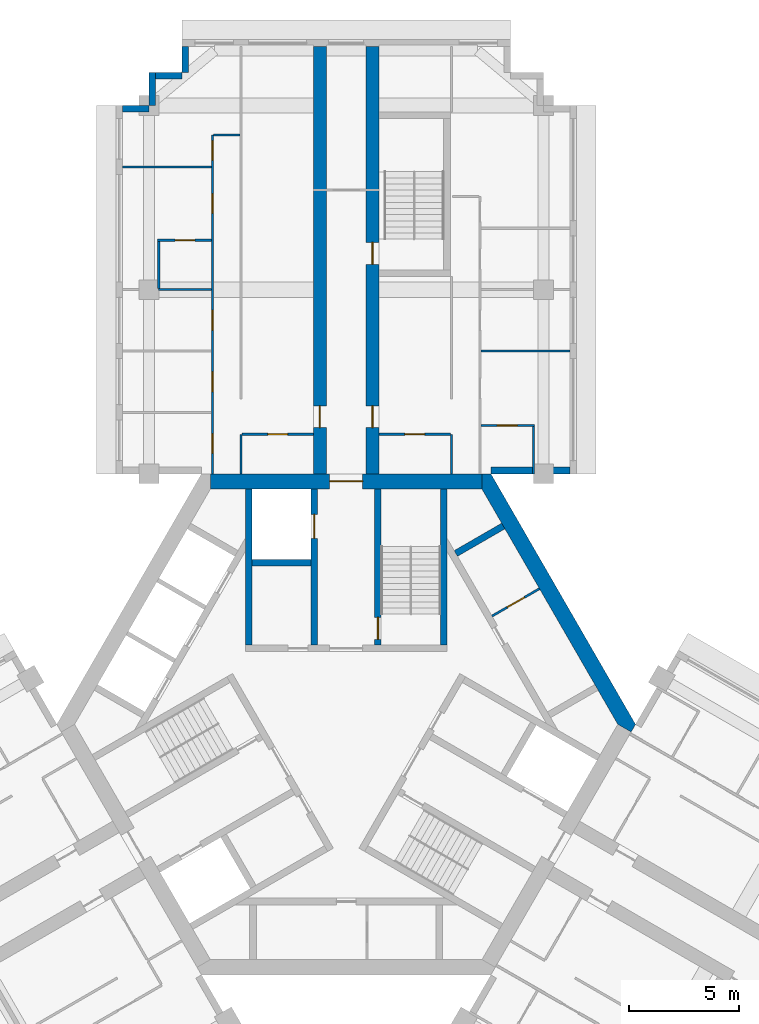
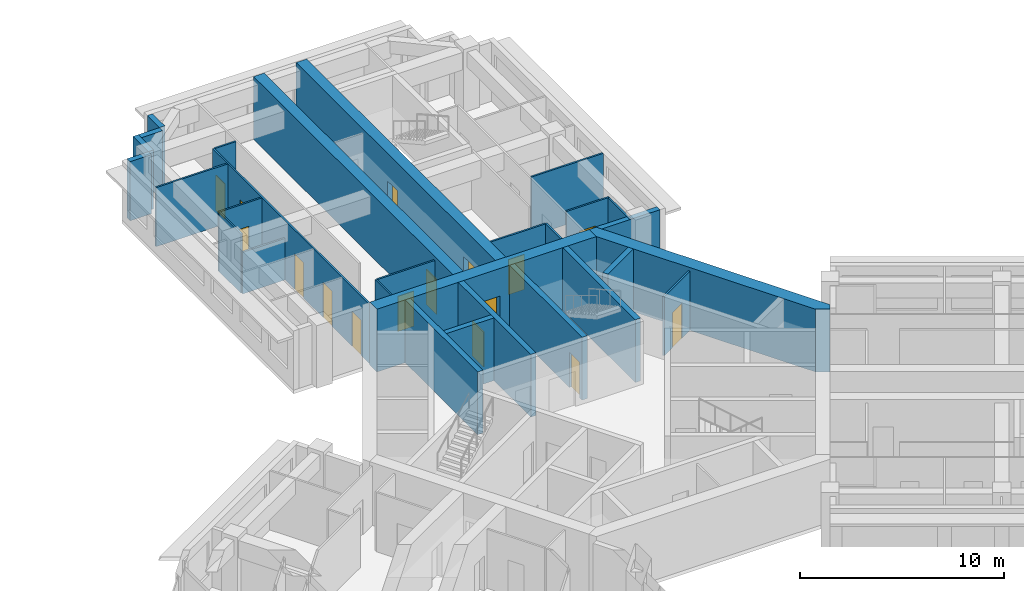
# One storey, part 8 of 12: 29 walls, 16 doors, 16 openings.
"""IFC4 building model written with IfcOpenShell, lengths in metres."""

import ifcopenshell
import ifcopenshell.guid

model = None  # the IFC model being written
_history = None  # IfcOwnerHistory: only IFC2X3 demands one
_inside = {}  # id of a spatial element -> (the spatial element, [elements in it])
_under = {}  # id of a project, library or spatial element -> (it, [spatial elements below it])
_declared = {}  # id of a project -> (the project, [libraries it declares])
_typed = {}  # id of a type object -> (the type object, [elements of that type])
_made_of = {}  # id of a material, layer set ... -> (it, [elements and type objects made of it])


def new_model(schema):
    """Start an empty IFC model of exactly this schema.

    Asked for "IFC4X3", IfcOpenShell would pick the latest addendum, in which some entities
    have other attributes; the version numbers below select the first issue.
    IFC2X3 requires an IfcOwnerHistory on every rooted entity: one is made here for all.
    """
    global model, _history
    if schema == "IFC4X3":
        model = ifcopenshell.file(schema_version=(4, 3, 0, 0))
    else:
        model = ifcopenshell.file(schema=schema)
    _inside.clear()
    _under.clear()
    _declared.clear()
    _typed.clear()
    _made_of.clear()
    _history = None
    if model.schema == "IFC2X3":
        org = make("IfcOrganization", Name="unknown")
        user = make(
            "IfcPersonAndOrganization",
            ThePerson=make("IfcPerson", FamilyName="unknown"),
            TheOrganization=org,
        )
        app = make(
            "IfcApplication",
            ApplicationDeveloper=org,
            Version="unknown",
            ApplicationFullName="unknown",
            ApplicationIdentifier="unknown",
        )
        _history = make(
            "IfcOwnerHistory",
            OwningUser=user,
            OwningApplication=app,
            ChangeAction="ADDED",
            CreationDate=0,
        )
    return model


def make(cls, **values):
    """One entity of the class cls with the attributes given. An attribute that is None is left unset."""
    return model.create_entity(
        cls, **{name: value for name, value in values.items() if value is not None}
    )


def rooted(cls, **values):
    """An entity with a GlobalId (a new one), such as an element, a storey or a relation."""
    return make(cls, GlobalId=ifcopenshell.guid.new(), OwnerHistory=_history, **values)


def si_unit(unit_type, name, prefix=None):
    """IfcSIUnit, for example si_unit("LENGTHUNIT", "METRE", prefix="MILLI")."""
    return make("IfcSIUnit", UnitType=unit_type, Prefix=prefix, Name=name)


def assignment(units):
    """IfcUnitAssignment: the units of a project."""
    return None if units is None else make("IfcUnitAssignment", Units=units)


def point(xyz):
    """IfcCartesianPoint."""
    return None if xyz is None else make("IfcCartesianPoint", Coordinates=xyz)


def direction(xyz):
    """IfcDirection."""
    return None if xyz is None else make("IfcDirection", DirectionRatios=xyz)


def frame(location, z_axis=None, x_axis=None):
    """IfcAxis2Placement3D, a coordinate frame: its origin and axes. An axis left out is left unset."""
    return make(
        "IfcAxis2Placement3D",
        Location=point(location),
        Axis=direction(z_axis),
        RefDirection=direction(x_axis),
    )


def frame_2d(location, x_axis=None):
    """IfcAxis2Placement2D, a coordinate frame in the plane: its origin and x axis."""
    return make(
        "IfcAxis2Placement2D", Location=point(location), RefDirection=direction(x_axis)
    )


def origin():
    """The frame at (0, 0, 0) with its axes left unset."""
    return frame((0.0, 0.0, 0.0))


def place(relative_to, where):
    """IfcLocalPlacement: puts the frame where relative to a parent placement (None: the world)."""
    return make(
        "IfcLocalPlacement", PlacementRelTo=relative_to, RelativePlacement=where
    )


def context(
    kind, dimensions, precision=None, world=None, true_north=None, identifier=None
):
    """IfcGeometricRepresentationContext, for example the 3D "Model" context."""
    return make(
        "IfcGeometricRepresentationContext",
        ContextIdentifier=identifier,
        ContextType=kind,
        CoordinateSpaceDimension=dimensions,
        Precision=precision,
        WorldCoordinateSystem=world,
        TrueNorth=true_north,
    )


def subcontext(parent, identifier, kind, view, scale=None):
    """IfcGeometricRepresentationSubContext, for example "Body" below "Model"."""
    return make(
        "IfcGeometricRepresentationSubContext",
        ContextIdentifier=identifier,
        ContextType=kind,
        ParentContext=parent,
        TargetScale=scale,
        TargetView=view,
    )


def project(units=None, contexts=None):
    """IfcProject with its units and contexts."""
    return rooted(
        "IfcProject",
        Name="project",
        RepresentationContexts=contexts,
        UnitsInContext=assignment(units),
    )


def spatial(cls, under=None, at=None, **own):
    """A site, building, storey or space (cls), placed at a placement, below another one or the project."""
    s = rooted(cls, ObjectPlacement=at, **own)
    if under is not None:
        _under.setdefault(under.id(), (under, []))[1].append(s)
    return s


def polyline(points):
    """IfcPolyline through the points."""
    return make("IfcPolyline", Points=[point(p) for p in points])


def profile(cls, at=None, kind="AREA", **sizes):
    """A parametric profile (cls). Its sizes go by their IFC names, for example OverallWidth=200.0."""
    return make(cls, ProfileType=kind, Position=at, **sizes)


def rectangle(**sizes):
    """IfcRectangleProfileDef."""
    return profile("IfcRectangleProfileDef", **sizes)


def outline(outer, holes=None, kind="AREA"):
    """IfcArbitraryClosedProfileDef: a profile drawn as a closed curve; with holes, ...WithVoids."""
    if holes is None:
        return make("IfcArbitraryClosedProfileDef", ProfileType=kind, OuterCurve=outer)
    return make(
        "IfcArbitraryProfileDefWithVoids",
        ProfileType=kind,
        OuterCurve=outer,
        InnerCurves=holes,
    )


def extrude(swept, where, along, depth):
    """IfcExtrudedAreaSolid: the profile swept, set in the frame where, extruded along a direction by depth."""
    return make(
        "IfcExtrudedAreaSolid",
        SweptArea=swept,
        Position=where,
        ExtrudedDirection=direction(along),
        Depth=depth,
    )


def shape(context_of_items, identifier, shape_type, items):
    """IfcShapeRepresentation: the items that make up one representation, for example the "Body"."""
    return make(
        "IfcShapeRepresentation",
        ContextOfItems=context_of_items,
        RepresentationIdentifier=identifier,
        RepresentationType=shape_type,
        Items=items,
    )


def material(Name=None, Category=None):
    """IfcMaterial."""
    return make("IfcMaterial", Name=Name, Category=Category)


def layer(
    of_material, thickness, ventilated=None, Name=None, Category=None, Priority=None
):
    """IfcMaterialLayer: one layer of a wall or slab, of a material (None: an air gap)."""
    return make(
        "IfcMaterialLayer",
        Material=of_material,
        LayerThickness=thickness,
        IsVentilated=ventilated,
        Name=Name,
        Category=Category,
        Priority=Priority,
    )


def layer_set(layers, Name=None):
    """IfcMaterialLayerSet."""
    return make("IfcMaterialLayerSet", MaterialLayers=layers, LayerSetName=Name)


def made_of(thing, what):
    """Note that an element or type object is made of a material, layer set ...; save() writes the relation."""
    if what is not None:
        _made_of.setdefault(what.id(), (what, []))[1].append(thing)
    return thing


def type_object(cls, material=None, **own):
    """A type object (cls), such as IfcWallType, which elements share."""
    return made_of(rooted(cls, **own), material)


def element(
    cls,
    number,
    at=None,
    inside=None,
    cuts=None,
    type_object=None,
    material=None,
    context=None,
    identifier="Body",
    shape_type=None,
    held_by="IfcProductDefinitionShape",
    body=None,
    shapes=None,
    **own,
):
    """One element of the class cls, such as IfcWall. Its Tag is "e" and its number.

    at: its placement. inside: the storey or other place that contains it. cuts: it is an
    opening in that element (IfcRelVoidsElement). A single representation is given by context,
    identifier, shape_type and body (its items); several are given by shapes. held_by: the class
    of the entity that holds the representations. save() writes the other relations.
    """
    e = rooted(cls, Tag="e%d" % number, ObjectPlacement=at, **own)
    if body is not None:
        shapes = [shape(context, identifier, shape_type, body)]
    if shapes is not None:
        e.Representation = make(held_by, Representations=shapes)
    if inside is not None:
        _inside.setdefault(inside.id(), (inside, []))[1].append(e)
    if cuts is not None:
        rooted(
            "IfcRelVoidsElement", RelatingBuildingElement=cuts, RelatedOpeningElement=e
        )
    if type_object is not None:
        _typed.setdefault(type_object.id(), (type_object, []))[1].append(e)
    return made_of(e, material)


def fill(opening, filler):
    """IfcRelFillsElement: the door or window that sits in an opening."""
    return rooted(
        "IfcRelFillsElement",
        RelatingOpeningElement=opening,
        RelatedBuildingElement=filler,
    )


def aggregate(whole, parts):
    """IfcRelAggregates: a whole, such as a stair, and the parts it consists of."""
    return rooted("IfcRelAggregates", RelatingObject=whole, RelatedObjects=parts)


def save(model, path):
    """Write the relations noted so far, then the file.

    IfcRelAggregates (storeys below a building ...), IfcRelContainedInSpatialStructure (elements
    in a storey), IfcRelDefinesByType, IfcRelAssociatesMaterial and IfcRelDeclares: one each for
    every whole, place, type object, material and project.
    """
    for whole, parts in _under.values():
        aggregate(whole, parts)
    for where, things in _inside.values():
        rooted(
            "IfcRelContainedInSpatialStructure",
            RelatedElements=things,
            RelatingStructure=where,
        )
    for kind, things in _typed.values():
        rooted("IfcRelDefinesByType", RelatedObjects=things, RelatingType=kind)
    for what, things in _made_of.values():
        rooted("IfcRelAssociatesMaterial", RelatedObjects=things, RelatingMaterial=what)
    for by, libraries in _declared.values():
        rooted("IfcRelDeclares", RelatingContext=by, RelatedDefinitions=libraries)
    model.write(path)


model = new_model("IFC4")

# Units and contexts
model_context = context("Model", 3, precision=1e-05, world=origin(), true_north=direction((0.0, 1.0)))
body_context = subcontext(model_context, "Body", "Model", "MODEL_VIEW")
ifc_project = project(units=[si_unit("LENGTHUNIT", "METRE"), si_unit("AREAUNIT", "SQUARE_METRE"), si_unit("VOLUMEUNIT", "CUBIC_METRE"), si_unit("PLANEANGLEUNIT", "RADIAN"), si_unit("MASSUNIT", "GRAM", prefix="KILO")], contexts=[model_context])

# Site, building, storey
site_placement = place(None, origin())
site = spatial("IfcSite", under=ifc_project, at=site_placement, CompositionType="ELEMENT")
building_placement = place(site_placement, origin())
building = spatial("IfcBuilding", under=site, at=building_placement, Name="Impinga Residences", CompositionType="ELEMENT")
storey_placement = place(building_placement, frame((0.0, 0.0, 214.75)))
storey = spatial("IfcBuildingStorey", under=building, at=storey_placement, Name="L53", CompositionType="ELEMENT", Elevation=214.75)

# Wall, opening, door
ifc_material_1 = material(Name="Concrete C60/75", Category="concrete")
ifc_layer_1 = layer(ifc_material_1, 0.60009765625)
ifc_layer_set_1 = layer_set([ifc_layer_1], Name="Concrete C60/75")
wall_type_1 = type_object("IfcWallType", Name="BW3 corridor buttress wall, L46 to L73 600", PredefinedType="SHEAR", material=ifc_layer_set_1)
wall_1_placement = place(storey_placement, frame((-1.199951171875, 11.08154296875, 0.0), z_axis=(0.0, 0.0, 1.0), x_axis=(0.0, 1.0, 0.0)))
wall_1 = element("IfcWall", 1, at=wall_1_placement, inside=storey, type_object=wall_type_1, Name="Corridor wall BW3 NC L53", PredefinedType="SHEAR", context=body_context, shape_type="SweptSolid", body=[
    extrude(rectangle(XDim=19.85009765625, YDim=0.60009765625, at=frame_2d((9.925048828125, 0.0))), origin(), (0.0, 0.0, 1.0), 3.75),
])
opening_1_placement = place(wall_1_placement, frame((2.449951171875, 0.0, 0.0)))
opening_1 = element("IfcOpeningElement", 2, at=opening_1_placement, cuts=wall_1, Name="Opening D1", PredefinedType="OPENING", context=body_context, shape_type="SweptSolid", body=[
    extrude(rectangle(XDim=1.0, YDim=2.10009765625, at=frame_2d((0.5, 1.050048828125))), frame((0.0, 0.31005859375, 0.0), z_axis=(0.0, -1.0, 0.0), x_axis=(1.0, 0.0, 0.0)), (0.0, 0.0, 1.0), 0.6201171875),
])
ifc_material_2 = material(Name="Timber door set", Category="wood")
door_type_1 = type_object("IfcDoorType", Name="D1 apartment entrance door 1000x2100", OperationType="SINGLE_SWING_LEFT", PredefinedType="DOOR", material=ifc_material_2)
door_1_placement = place(opening_1_placement, origin())
door_1 = element("IfcDoor", 3, at=door_1_placement, inside=storey, type_object=door_type_1, Name="Apartment L53-NA1 entrance", OperationType="SINGLE_SWING_LEFT", OverallHeight=2.10009765625, OverallWidth=1.0, PredefinedType="DOOR", context=body_context, shape_type="SweptSolid", body=[
    extrude(rectangle(XDim=1.0, YDim=2.10009765625, at=frame_2d((0.5, 1.050048828125))), frame((0.0, 0.02490234375, 0.0), z_axis=(0.0, -1.0, 0.0), x_axis=(1.0, 0.0, 0.0)), (0.0, 0.0, 1.0), 0.050048828125),
])
fill(opening_1, door_1)

# Wall, openings, doors
wall_2_placement = place(storey_placement, frame((1.199951171875, 11.08154296875, 0.0), z_axis=(0.0, 0.0, 1.0), x_axis=(0.0, 1.0, 0.0)))
wall_2 = element("IfcWall", 4, at=wall_2_placement, inside=storey, type_object=wall_type_1, Name="Corridor wall BW3 ND L53", PredefinedType="SHEAR", context=body_context, shape_type="SweptSolid", body=[
    extrude(rectangle(XDim=19.85009765625, YDim=0.60009765625, at=frame_2d((9.925048828125, 0.0))), origin(), (0.0, 0.0, 1.0), 3.75),
])
opening_2_placement = place(wall_2_placement, frame((9.89990234375, 0.0, 0.0)))
opening_2 = element("IfcOpeningElement", 5, at=opening_2_placement, cuts=wall_2, Name="Opening D5", PredefinedType="OPENING", context=body_context, shape_type="SweptSolid", body=[
    extrude(rectangle(XDim=1.0, YDim=2.10009765625, at=frame_2d((0.5, 1.050048828125))), frame((0.0, 0.31005859375, 0.0), z_axis=(0.0, -1.0, 0.0), x_axis=(1.0, 0.0, 0.0)), (0.0, 0.0, 1.0), 0.6201171875),
])
opening_3_placement = place(wall_2_placement, frame((2.449951171875, 0.0, 0.0)))
opening_3 = element("IfcOpeningElement", 6, at=opening_3_placement, cuts=wall_2, Name="Opening D1", PredefinedType="OPENING", context=body_context, shape_type="SweptSolid", body=[
    extrude(rectangle(XDim=1.0, YDim=2.10009765625, at=frame_2d((0.5, 1.050048828125))), frame((0.0, 0.31005859375, 0.0), z_axis=(0.0, -1.0, 0.0), x_axis=(1.0, 0.0, 0.0)), (0.0, 0.0, 1.0), 0.6201171875),
])
door_2_placement = place(opening_3_placement, origin())
door_2 = element("IfcDoor", 7, at=door_2_placement, inside=storey, type_object=door_type_1, Name="Apartment L53-NF1 entrance", OperationType="SINGLE_SWING_LEFT", OverallHeight=2.10009765625, OverallWidth=1.0, PredefinedType="DOOR", context=body_context, shape_type="SweptSolid", body=[
    extrude(rectangle(XDim=1.0, YDim=2.10009765625, at=frame_2d((0.5, 1.050048828125))), frame((0.0, 0.02490234375, 0.0), z_axis=(0.0, -1.0, 0.0), x_axis=(1.0, 0.0, 0.0)), (0.0, 0.0, 1.0), 0.050048828125),
])
fill(opening_3, door_2)
door_type_2 = type_object("IfcDoorType", Name="D5 stair door 1000x2100", OperationType="SINGLE_SWING_LEFT", PredefinedType="DOOR", material=ifc_material_2)
door_3_placement = place(opening_2_placement, origin())
door_3 = element("IfcDoor", 8, at=door_3_placement, inside=storey, type_object=door_type_2, Name="Wing stair door N", OperationType="SINGLE_SWING_RIGHT", OverallHeight=2.10009765625, OverallWidth=1.0, PredefinedType="DOOR", context=body_context, shape_type="SweptSolid", body=[
    extrude(rectangle(XDim=1.0, YDim=2.10009765625, at=frame_2d((0.5, 1.050048828125))), frame((0.0, 0.02490234375, 0.0), z_axis=(0.0, -1.0, 0.0), x_axis=(1.0, 0.0, 0.0)), (0.0, 0.0, 1.0), 0.050048828125),
])
fill(opening_2, door_3)

# Wall, opening, door
ifc_material_3 = material(Name="Concrete blockwork", Category="masonry")
ifc_layer_2 = layer(ifc_material_3, 0.10009765625)
ifc_layer_set_2 = layer_set([ifc_layer_2], Name="CP1 core room partition, blockwork 100")
wall_type_2 = type_object("IfcWallType", Name="CP1 core room partition, blockwork 100", PredefinedType="PARTITIONING", material=ifc_layer_set_2)
wall_3_placement = place(storey_placement, frame((6.65380859375, 4.9384765625, 0.0), z_axis=(0.0, 0.0, 1.0), x_axis=(0.866022959057, 0.500004234368, 0.0)))
wall_3 = element("IfcWall", 9, at=wall_3_placement, inside=storey, type_object=wall_type_2, Name="Core room partition, blockwork L53:CORE:mid:ZP1", PredefinedType="PARTITIONING", context=body_context, shape_type="SweptSolid", body=[
    extrude(rectangle(XDim=2.5, YDim=0.10009765625, at=frame_2d((1.25, 0.0))), origin(), (0.0, 0.0, 1.0), 3.530029296875),
])
opening_4_placement = place(wall_3_placement, frame((0.800048828125, 0.0, 0.0)))
opening_4 = element("IfcOpeningElement", 10, at=opening_4_placement, cuts=wall_3, Name="Opening D6", PredefinedType="OPENING", context=body_context, shape_type="SweptSolid", body=[
    extrude(rectangle(XDim=0.89990234375, YDim=2.10009765625, at=frame_2d((0.449951171875, 1.050048828125))), frame((0.0, 0.06005859375, 0.0), z_axis=(0.0, -1.0, 0.0), x_axis=(1.0, 0.0, 0.0)), (0.0, 0.0, 1.0), 0.1201171875),
])
door_type_3 = type_object("IfcDoorType", Name="D6 riser and store door 900x2100", OperationType="SINGLE_SWING_LEFT", PredefinedType="DOOR", material=ifc_material_2)
door_4_placement = place(opening_4_placement, origin())
door_4 = element("IfcDoor", 11, at=door_4_placement, inside=storey, type_object=door_type_3, Name="Staff WC door", OperationType="SINGLE_SWING_LEFT", OverallHeight=2.10009765625, OverallWidth=0.89990234375, PredefinedType="DOOR", context=body_context, shape_type="SweptSolid", body=[
    extrude(rectangle(XDim=0.89990234375, YDim=2.10009765625, at=frame_2d((0.449951171875, 1.050048828125))), frame((0.0, 0.02490234375, 0.0), z_axis=(0.0, -1.0, 0.0), x_axis=(1.0, 0.0, 0.0)), (0.0, 0.0, 1.0), 0.050048828125),
])
fill(opening_4, door_4)

# Walls
ifc_material_4 = material(Name="Terracotta rainscreen on blockwork", Category="masonry")
ifc_layer_3 = layer(ifc_material_4, 0.300048828125)
ifc_layer_set_3 = layer_set([ifc_layer_3], Name="EW1 external wall, terracotta rainscreen on blockwork 300")
wall_type_3 = type_object("IfcWallType", Name="EW1 external wall, terracotta rainscreen on blockwork 300", PredefinedType="SOLIDWALL", material=ifc_layer_set_3)
wall_4_placement = place(storey_placement, frame((-10.199951171875, 28.08154296875, 0.0), z_axis=(0.0, 0.0, 1.0), x_axis=(1.0, 0.0, 0.0)))
element("IfcWall", 12, at=wall_4_placement, inside=storey, type_object=wall_type_3, Name="External wall EW1 L53", PredefinedType="SOLIDWALL", context=body_context, shape_type="SweptSolid", body=[
    extrude(rectangle(XDim=1.199951171875, YDim=0.300048828125, at=frame_2d((0.60009765625, 0.0))), origin(), (0.0, 0.0, 1.0), 3.530029296875),
])
wall_5_placement = place(storey_placement, frame((-8.85009765625, 28.236572265625, 0.0), z_axis=(0.0, 0.0, 1.0), x_axis=(0.0, 1.0, 0.0)))
element("IfcWall", 13, at=wall_5_placement, inside=storey, type_object=wall_type_3, Name="External wall EW1 L53", PredefinedType="SOLIDWALL", context=body_context, shape_type="SweptSolid", body=[
    extrude(rectangle(XDim=1.494873046875, YDim=0.300048828125, at=frame_2d((0.74755859375, 0.0))), origin(), (0.0, 0.0, 1.0), 3.530029296875),
])
wall_6_placement = place(storey_placement, frame((-8.699951171875, 29.58154296875, 0.0), z_axis=(0.0, 0.0, 1.0), x_axis=(1.0, 0.0, 0.0)))
element("IfcWall", 14, at=wall_6_placement, inside=storey, type_object=wall_type_3, Name="External wall EW1 L53", PredefinedType="SOLIDWALL", context=body_context, shape_type="SweptSolid", body=[
    extrude(rectangle(XDim=1.199951171875, YDim=0.300048828125, at=frame_2d((0.60009765625, 0.0))), origin(), (0.0, 0.0, 1.0), 3.530029296875),
])
wall_7_placement = place(storey_placement, frame((-7.35009765625, 29.736572265625, 0.0), z_axis=(0.0, 0.0, 1.0), x_axis=(0.0, 1.0, 0.0)))
element("IfcWall", 15, at=wall_7_placement, inside=storey, type_object=wall_type_3, Name="External wall EW1 L53", PredefinedType="SOLIDWALL", context=body_context, shape_type="SweptSolid", body=[
    extrude(rectangle(XDim=1.195068359375, YDim=0.300048828125, at=frame_2d((0.59765625, 0.0))), origin(), (0.0, 0.0, 1.0), 3.530029296875),
])
wall_8_placement = place(storey_placement, frame((10.199951171875, 11.58154296875, 0.0), z_axis=(0.0, 0.0, 1.0), x_axis=(-1.0, 0.0, 0.0)))
element("IfcWall", 16, at=wall_8_placement, inside=storey, type_object=wall_type_3, Name="External wall EW1 L53", PredefinedType="SOLIDWALL", context=body_context, shape_type="SweptSolid", body=[
    extrude(rectangle(XDim=3.599853515625, YDim=0.300048828125, at=frame_2d((1.7998046875, 0.0))), origin(), (0.0, 0.0, 1.0), 3.530029296875),
])
ifc_material_5 = material(Name="Gypsum board on steel studs", Category="steel")
ifc_layer_4 = layer(ifc_material_5, 0.10009765625)
ifc_layer_set_4 = layer_set([ifc_layer_4], Name="Gypsum board on steel studs")
wall_type_4 = type_object("IfcWallType", Name="IP1 partition 100", PredefinedType="PARTITIONING", material=ifc_layer_set_4)
wall_9_placement = place(storey_placement, frame((-4.800048828125, 11.431640625, 0.0), z_axis=(0.0, 0.0, 1.0), x_axis=(0.0, 1.0, 0.0)))
element("IfcWall", 17, at=wall_9_placement, inside=storey, type_object=wall_type_4, Name="Partition L53-NA1:DIV0", PredefinedType="PARTITIONING", context=body_context, shape_type="SweptSolid", body=[
    extrude(rectangle(XDim=1.7998046875, YDim=0.10009765625, at=frame_2d((0.89990234375, 0.0))), origin(), (0.0, 0.0, 1.0), 3.530029296875),
])

# Wall, openings, doors
wall_10_placement = place(storey_placement, frame((-6.10009765625, 11.431640625, 0.0), z_axis=(0.0, 0.0, 1.0), x_axis=(0.0, 1.0, 0.0)))
wall_10 = element("IfcWall", 18, at=wall_10_placement, inside=storey, type_object=wall_type_4, Name="Partition L53-NA1:STRIP", PredefinedType="PARTITIONING", context=body_context, shape_type="SweptSolid", body=[
    extrude(rectangle(XDim=15.449951171875, YDim=0.10009765625, at=frame_2d((7.72509765625, 0.0))), origin(), (0.0, 0.0, 1.0), 3.530029296875),
])
opening_5_placement = place(wall_10_placement, frame((0.925048828125, 0.0, 0.0)))
opening_5 = element("IfcOpeningElement", 19, at=opening_5_placement, cuts=wall_10, Name="Opening D2", PredefinedType="OPENING", context=body_context, shape_type="SweptSolid", body=[
    extrude(rectangle(XDim=0.89990234375, YDim=2.10009765625, at=frame_2d((0.449951171875, 1.050048828125))), frame((0.0, 0.06005859375, 0.0), z_axis=(0.0, -1.0, 0.0), x_axis=(1.0, 0.0, 0.0)), (0.0, 0.0, 1.0), 0.1201171875),
])
opening_6_placement = place(wall_10_placement, frame((3.75, 0.0, 0.0)))
opening_6 = element("IfcOpeningElement", 20, at=opening_6_placement, cuts=wall_10, Name="Opening D2", PredefinedType="OPENING", context=body_context, shape_type="SweptSolid", body=[
    extrude(rectangle(XDim=0.89990234375, YDim=2.10009765625, at=frame_2d((0.449951171875, 1.050048828125))), frame((0.0, 0.06005859375, 0.0), z_axis=(0.0, -1.0, 0.0), x_axis=(1.0, 0.0, 0.0)), (0.0, 0.0, 1.0), 0.1201171875),
])
opening_7_placement = place(wall_10_placement, frame((6.550048828125, 0.0, 0.0)))
opening_7 = element("IfcOpeningElement", 21, at=opening_7_placement, cuts=wall_10, Name="Opening D2", PredefinedType="OPENING", context=body_context, shape_type="SweptSolid", body=[
    extrude(rectangle(XDim=0.89990234375, YDim=2.10009765625, at=frame_2d((0.449951171875, 1.050048828125))), frame((0.0, 0.06005859375, 0.0), z_axis=(0.0, -1.0, 0.0), x_axis=(1.0, 0.0, 0.0)), (0.0, 0.0, 1.0), 0.1201171875),
])
opening_8_placement = place(wall_10_placement, frame((11.875, 0.0, 0.0)))
opening_8 = element("IfcOpeningElement", 22, at=opening_8_placement, cuts=wall_10, Name="Opening D2", PredefinedType="OPENING", context=body_context, shape_type="SweptSolid", body=[
    extrude(rectangle(XDim=0.89990234375, YDim=2.10009765625, at=frame_2d((0.449951171875, 1.050048828125))), frame((0.0, 0.06005859375, 0.0), z_axis=(0.0, -1.0, 0.0), x_axis=(1.0, 0.0, 0.0)), (0.0, 0.0, 1.0), 0.1201171875),
])
opening_9_placement = place(wall_10_placement, frame((14.300048828125, 0.0, 0.0)))
opening_9 = element("IfcOpeningElement", 23, at=opening_9_placement, cuts=wall_10, Name="Opening D2", PredefinedType="OPENING", context=body_context, shape_type="SweptSolid", body=[
    extrude(rectangle(XDim=0.89990234375, YDim=2.10009765625, at=frame_2d((0.449951171875, 1.050048828125))), frame((0.0, 0.06005859375, 0.0), z_axis=(0.0, -1.0, 0.0), x_axis=(1.0, 0.0, 0.0)), (0.0, 0.0, 1.0), 0.1201171875),
])
door_type_4 = type_object("IfcDoorType", Name="D2 internal door 900x2100", OperationType="SINGLE_SWING_LEFT", PredefinedType="DOOR", material=ifc_material_2)
door_5_placement = place(opening_5_placement, origin())
door_5 = element("IfcDoor", 24, at=door_5_placement, inside=storey, type_object=door_type_4, Name="Apartment L53-NA1 room door", OperationType="SINGLE_SWING_LEFT", OverallHeight=2.10009765625, OverallWidth=0.89990234375, PredefinedType="DOOR", context=body_context, shape_type="SweptSolid", body=[
    extrude(rectangle(XDim=0.89990234375, YDim=2.10009765625, at=frame_2d((0.449951171875, 1.050048828125))), frame((0.0, 0.02490234375, 0.0), z_axis=(0.0, -1.0, 0.0), x_axis=(1.0, 0.0, 0.0)), (0.0, 0.0, 1.0), 0.050048828125),
])
fill(opening_5, door_5)
door_6_placement = place(opening_6_placement, origin())
door_6 = element("IfcDoor", 25, at=door_6_placement, inside=storey, type_object=door_type_4, Name="Apartment L53-NA1 room door", OperationType="SINGLE_SWING_LEFT", OverallHeight=2.10009765625, OverallWidth=0.89990234375, PredefinedType="DOOR", context=body_context, shape_type="SweptSolid", body=[
    extrude(rectangle(XDim=0.89990234375, YDim=2.10009765625, at=frame_2d((0.449951171875, 1.050048828125))), frame((0.0, 0.02490234375, 0.0), z_axis=(0.0, -1.0, 0.0), x_axis=(1.0, 0.0, 0.0)), (0.0, 0.0, 1.0), 0.050048828125),
])
fill(opening_6, door_6)
door_7_placement = place(opening_7_placement, origin())
door_7 = element("IfcDoor", 26, at=door_7_placement, inside=storey, type_object=door_type_4, Name="Apartment L53-NA1 room door", OperationType="SINGLE_SWING_LEFT", OverallHeight=2.10009765625, OverallWidth=0.89990234375, PredefinedType="DOOR", context=body_context, shape_type="SweptSolid", body=[
    extrude(rectangle(XDim=0.89990234375, YDim=2.10009765625, at=frame_2d((0.449951171875, 1.050048828125))), frame((0.0, 0.02490234375, 0.0), z_axis=(0.0, -1.0, 0.0), x_axis=(1.0, 0.0, 0.0)), (0.0, 0.0, 1.0), 0.050048828125),
])
fill(opening_7, door_7)
door_8_placement = place(opening_8_placement, origin())
door_8 = element("IfcDoor", 27, at=door_8_placement, inside=storey, type_object=door_type_4, Name="Apartment L53-NA1 room door", OperationType="SINGLE_SWING_RIGHT", OverallHeight=2.10009765625, OverallWidth=0.89990234375, PredefinedType="DOOR", context=body_context, shape_type="SweptSolid", body=[
    extrude(rectangle(XDim=0.89990234375, YDim=2.10009765625, at=frame_2d((0.449951171875, 1.050048828125))), frame((0.0, 0.02490234375, 0.0), z_axis=(0.0, -1.0, 0.0), x_axis=(1.0, 0.0, 0.0)), (0.0, 0.0, 1.0), 0.050048828125),
])
fill(opening_8, door_8)
door_9_placement = place(opening_9_placement, origin())
door_9 = element("IfcDoor", 28, at=door_9_placement, inside=storey, type_object=door_type_4, Name="Apartment L53-NA1 room door", OperationType="SINGLE_SWING_RIGHT", OverallHeight=2.10009765625, OverallWidth=0.89990234375, PredefinedType="DOOR", context=body_context, shape_type="SweptSolid", body=[
    extrude(rectangle(XDim=0.89990234375, YDim=2.10009765625, at=frame_2d((0.449951171875, 1.050048828125))), frame((0.0, 0.02490234375, 0.0), z_axis=(0.0, -1.0, 0.0), x_axis=(1.0, 0.0, 0.0)), (0.0, 0.0, 1.0), 0.050048828125),
])
fill(opening_9, door_9)

# Wall
wall_11_placement = place(storey_placement, frame((-4.85009765625, 26.881591796875, 0.0), z_axis=(0.0, 0.0, 1.0), x_axis=(-1.0, 0.0, 0.0)))
element("IfcWall", 29, at=wall_11_placement, inside=storey, type_object=wall_type_4, Name="Partition L53-NA1:SE1", PredefinedType="PARTITIONING", context=body_context, shape_type="SweptSolid", body=[
    extrude(rectangle(XDim=1.199951171875, YDim=0.10009765625, at=frame_2d((0.60009765625, 0.0))), origin(), (0.0, 0.0, 1.0), 3.530029296875),
])

# Wall, opening, door
wall_12_placement = place(storey_placement, frame((-1.5, 13.2314453125, 0.0), z_axis=(0.0, 0.0, 1.0), x_axis=(-1.0, 0.0, 0.0)))
wall_12 = element("IfcWall", 30, at=wall_12_placement, inside=storey, type_object=wall_type_4, Name="Partition L53-NA1:IB1", PredefinedType="PARTITIONING", context=body_context, shape_type="SweptSolid", body=[
    extrude(rectangle(XDim=3.25, YDim=0.10009765625, at=frame_2d((1.625, 0.0))), origin(), (0.0, 0.0, 1.0), 3.530029296875),
])
opening_10_placement = place(wall_12_placement, frame((1.175048828125, 0.0, 0.0)))
opening_10 = element("IfcOpeningElement", 31, at=opening_10_placement, cuts=wall_12, Name="Opening D2", PredefinedType="OPENING", context=body_context, shape_type="SweptSolid", body=[
    extrude(rectangle(XDim=0.89990234375, YDim=2.10009765625, at=frame_2d((0.449951171875, 1.050048828125))), frame((0.0, 0.06005859375, 0.0), z_axis=(0.0, -1.0, 0.0), x_axis=(1.0, 0.0, 0.0)), (0.0, 0.0, 1.0), 0.1201171875),
])
door_10_placement = place(opening_10_placement, origin())
door_10 = element("IfcDoor", 32, at=door_10_placement, inside=storey, type_object=door_type_4, Name="Apartment L53-NA1 bathroom door", OperationType="SINGLE_SWING_LEFT", OverallHeight=2.10009765625, OverallWidth=0.89990234375, PredefinedType="DOOR", context=body_context, shape_type="SweptSolid", body=[
    extrude(rectangle(XDim=0.89990234375, YDim=2.10009765625, at=frame_2d((0.449951171875, 1.050048828125))), frame((0.0, 0.02490234375, 0.0), z_axis=(0.0, -1.0, 0.0), x_axis=(1.0, 0.0, 0.0)), (0.0, 0.0, 1.0), 0.050048828125),
])
fill(opening_10, door_10)

# Walls
wall_13_placement = place(storey_placement, frame((-6.14990234375, 19.83154296875, 0.0), z_axis=(0.0, 0.0, 1.0), x_axis=(-1.0, 0.0, 0.0)))
element("IfcWall", 33, at=wall_13_placement, inside=storey, type_object=wall_type_4, Name="Partition L53-NA1:OB3", PredefinedType="PARTITIONING", context=body_context, shape_type="SweptSolid", body=[
    extrude(rectangle(XDim=2.400146484375, YDim=0.10009765625, at=frame_2d((1.2001953125, 0.0))), origin(), (0.0, 0.0, 1.0), 2.47998046875),
])
wall_14_placement = place(storey_placement, frame((-6.14990234375, 25.431640625, 0.0), z_axis=(0.0, 0.0, 1.0), x_axis=(-1.0, 0.0, 0.0)))
element("IfcWall", 34, at=wall_14_placement, inside=storey, type_object=wall_type_4, Name="Partition L53-NA1:OB4", PredefinedType="PARTITIONING", context=body_context, shape_type="SweptSolid", body=[
    extrude(rectangle(XDim=4.050048828125, YDim=0.10009765625, at=frame_2d((2.02490234375, 0.0))), origin(), (0.0, 0.0, 1.0), 3.530029296875),
])

# Wall, opening, door
wall_15_placement = place(storey_placement, frame((-6.14990234375, 22.08154296875, 0.0), z_axis=(0.0, 0.0, 1.0), x_axis=(-1.0, 0.0, 0.0)))
wall_15 = element("IfcWall", 35, at=wall_15_placement, inside=storey, type_object=wall_type_4, Name="Partition L53-NA1:EN1", PredefinedType="PARTITIONING", context=body_context, shape_type="SweptSolid", body=[
    extrude(rectangle(XDim=2.4501953125, YDim=0.10009765625, at=frame_2d((1.22509765625, 0.0))), origin(), (0.0, 0.0, 1.0), 3.530029296875),
])
opening_11_placement = place(wall_15_placement, frame((0.75, 0.0, 0.0)))
opening_11 = element("IfcOpeningElement", 36, at=opening_11_placement, cuts=wall_15, Name="Opening D2", PredefinedType="OPENING", context=body_context, shape_type="SweptSolid", body=[
    extrude(rectangle(XDim=0.89990234375, YDim=2.10009765625, at=frame_2d((0.449951171875, 1.050048828125))), frame((0.0, 0.06005859375, 0.0), z_axis=(0.0, -1.0, 0.0), x_axis=(1.0, 0.0, 0.0)), (0.0, 0.0, 1.0), 0.1201171875),
])
door_11_placement = place(opening_11_placement, origin())
door_11 = element("IfcDoor", 37, at=door_11_placement, inside=storey, type_object=door_type_4, Name="Apartment L53-NA1 en-suite door", OperationType="SINGLE_SWING_LEFT", OverallHeight=2.10009765625, OverallWidth=0.89990234375, PredefinedType="DOOR", context=body_context, shape_type="SweptSolid", body=[
    extrude(rectangle(XDim=0.89990234375, YDim=2.10009765625, at=frame_2d((0.449951171875, 1.050048828125))), frame((0.0, 0.02490234375, 0.0), z_axis=(0.0, -1.0, 0.0), x_axis=(1.0, 0.0, 0.0)), (0.0, 0.0, 1.0), 0.050048828125),
])
fill(opening_11, door_11)

# Walls
wall_16_placement = place(storey_placement, frame((-8.550048828125, 19.881591796875, 0.0), z_axis=(0.0, 0.0, 1.0), x_axis=(0.0, 1.0, 0.0)))
element("IfcWall", 38, at=wall_16_placement, inside=storey, type_object=wall_type_4, Name="Partition L53-NA1:EN2", PredefinedType="PARTITIONING", context=body_context, shape_type="SweptSolid", body=[
    extrude(rectangle(XDim=2.14990234375, YDim=0.10009765625, at=frame_2d((1.074951171875, 0.0))), origin(), (0.0, 0.0, 1.0), 3.530029296875),
])
wall_17_placement = place(storey_placement, frame((4.800048828125, 11.431640625, 0.0), z_axis=(0.0, 0.0, 1.0), x_axis=(0.0, 1.0, 0.0)))
element("IfcWall", 39, at=wall_17_placement, inside=storey, type_object=wall_type_4, Name="Partition L53-NF1:DIV0", PredefinedType="PARTITIONING", context=body_context, shape_type="SweptSolid", body=[
    extrude(rectangle(XDim=1.7998046875, YDim=0.10009765625, at=frame_2d((0.89990234375, 0.0))), origin(), (0.0, 0.0, 1.0), 3.530029296875),
])

# Wall, opening, door
wall_18_placement = place(storey_placement, frame((1.5, 13.2314453125, 0.0), z_axis=(0.0, 0.0, 1.0), x_axis=(1.0, 0.0, 0.0)))
wall_18 = element("IfcWall", 40, at=wall_18_placement, inside=storey, type_object=wall_type_4, Name="Partition L53-NF1:IB1", PredefinedType="PARTITIONING", context=body_context, shape_type="SweptSolid", body=[
    extrude(rectangle(XDim=3.25, YDim=0.10009765625, at=frame_2d((1.625, 0.0))), origin(), (0.0, 0.0, 1.0), 3.530029296875),
])
opening_12_placement = place(wall_18_placement, frame((1.175048828125, 0.0, 0.0)))
opening_12 = element("IfcOpeningElement", 41, at=opening_12_placement, cuts=wall_18, Name="Opening D2", PredefinedType="OPENING", context=body_context, shape_type="SweptSolid", body=[
    extrude(rectangle(XDim=0.89990234375, YDim=2.10009765625, at=frame_2d((0.449951171875, 1.050048828125))), frame((0.0, 0.06005859375, 0.0), z_axis=(0.0, -1.0, 0.0), x_axis=(1.0, 0.0, 0.0)), (0.0, 0.0, 1.0), 0.1201171875),
])
door_12_placement = place(opening_12_placement, origin())
door_12 = element("IfcDoor", 42, at=door_12_placement, inside=storey, type_object=door_type_4, Name="Apartment L53-NF1 bathroom door", OperationType="SINGLE_SWING_LEFT", OverallHeight=2.10009765625, OverallWidth=0.89990234375, PredefinedType="DOOR", context=body_context, shape_type="SweptSolid", body=[
    extrude(rectangle(XDim=0.89990234375, YDim=2.10009765625, at=frame_2d((0.449951171875, 1.050048828125))), frame((0.0, 0.02490234375, 0.0), z_axis=(0.0, -1.0, 0.0), x_axis=(1.0, 0.0, 0.0)), (0.0, 0.0, 1.0), 0.050048828125),
])
fill(opening_12, door_12)

# Wall
wall_19_placement = place(storey_placement, frame((6.14990234375, 17.031494140625, 0.0), z_axis=(0.0, 0.0, 1.0), x_axis=(1.0, 0.0, 0.0)))
element("IfcWall", 43, at=wall_19_placement, inside=storey, type_object=wall_type_4, Name="Partition L53-NF1:OB1", PredefinedType="PARTITIONING", context=body_context, shape_type="SweptSolid", body=[
    extrude(rectangle(XDim=4.050048828125, YDim=0.10009765625, at=frame_2d((2.02490234375, 0.0))), origin(), (0.0, 0.0, 1.0), 3.530029296875),
])

# Wall, opening, door
wall_20_placement = place(storey_placement, frame((6.14990234375, 13.631591796875, 0.0), z_axis=(0.0, 0.0, 1.0), x_axis=(1.0, 0.0, 0.0)))
wall_20 = element("IfcWall", 44, at=wall_20_placement, inside=storey, type_object=wall_type_4, Name="Partition L53-NF1:EN1", PredefinedType="PARTITIONING", context=body_context, shape_type="SweptSolid", body=[
    extrude(rectangle(XDim=2.4501953125, YDim=0.10009765625, at=frame_2d((1.22509765625, 0.0))), origin(), (0.0, 0.0, 1.0), 3.530029296875),
])
opening_13_placement = place(wall_20_placement, frame((0.75, 0.0, 0.0)))
opening_13 = element("IfcOpeningElement", 45, at=opening_13_placement, cuts=wall_20, Name="Opening D2", PredefinedType="OPENING", context=body_context, shape_type="SweptSolid", body=[
    extrude(rectangle(XDim=0.89990234375, YDim=2.10009765625, at=frame_2d((0.449951171875, 1.050048828125))), frame((0.0, 0.06005859375, 0.0), z_axis=(0.0, -1.0, 0.0), x_axis=(1.0, 0.0, 0.0)), (0.0, 0.0, 1.0), 0.1201171875),
])
door_13_placement = place(opening_13_placement, origin())
door_13 = element("IfcDoor", 46, at=door_13_placement, inside=storey, type_object=door_type_4, Name="Apartment L53-NF1 en-suite door", OperationType="SINGLE_SWING_LEFT", OverallHeight=2.10009765625, OverallWidth=0.89990234375, PredefinedType="DOOR", context=body_context, shape_type="SweptSolid", body=[
    extrude(rectangle(XDim=0.89990234375, YDim=2.10009765625, at=frame_2d((0.449951171875, 1.050048828125))), frame((0.0, 0.02490234375, 0.0), z_axis=(0.0, -1.0, 0.0), x_axis=(1.0, 0.0, 0.0)), (0.0, 0.0, 1.0), 0.050048828125),
])
fill(opening_13, door_13)

# Wall
wall_21_placement = place(storey_placement, frame((8.550048828125, 11.431640625, 0.0), z_axis=(0.0, 0.0, 1.0), x_axis=(0.0, 1.0, 0.0)))
element("IfcWall", 47, at=wall_21_placement, inside=storey, type_object=wall_type_4, Name="Partition L53-NF1:EN2", PredefinedType="PARTITIONING", context=body_context, shape_type="SweptSolid", body=[
    extrude(rectangle(XDim=2.14990234375, YDim=0.10009765625, at=frame_2d((1.074951171875, 0.0))), origin(), (0.0, 0.0, 1.0), 3.530029296875),
])

# Wall, opening, door
ifc_layer_5 = layer(ifc_material_1, 0.699951171875)
ifc_layer_set_5 = layer_set([ifc_layer_5], Name="Concrete C60/75")
wall_type_5 = type_object("IfcWallType", Name="SW3 core wall 700", PredefinedType="SHEAR", material=ifc_layer_set_5)
wall_22_placement = place(storey_placement, frame((-6.19580078125, 11.08154296875, 0.0), z_axis=(0.0, 0.0, 1.0), x_axis=(1.0, 0.0, 0.0)))
wall_22 = element("IfcWall", 48, at=wall_22_placement, inside=storey, type_object=wall_type_5, Name="Core wall SW3 N:FACE L53", PredefinedType="SHEAR", context=body_context, shape_type="SweptSolid", body=[
    extrude(rectangle(XDim=12.3916015625, YDim=0.699951171875, at=frame_2d((6.19580078125, 0.0))), origin(), (0.0, 0.0, 1.0), 3.75),
])
opening_14_placement = place(wall_22_placement, frame((5.44580078125, 0.0, 0.0)))
opening_14 = element("IfcOpeningElement", 49, at=opening_14_placement, cuts=wall_22, Name="Opening D4", PredefinedType="OPENING", context=body_context, shape_type="SweptSolid", body=[
    extrude(rectangle(XDim=1.5, YDim=2.10009765625, at=frame_2d((0.75, 1.050048828125))), frame((0.0, 0.35986328125, 0.0), z_axis=(0.0, -1.0, 0.0), x_axis=(1.0, 0.0, 0.0)), (0.0, 0.0, 1.0), 0.719970703125),
])
door_type_5 = type_object("IfcDoorType", Name="D4 lobby door pair 1500x2100", OperationType="DOUBLE_DOOR_DOUBLE_SWING", PredefinedType="DOOR", material=ifc_material_2)
door_14_placement = place(opening_14_placement, origin())
door_14 = element("IfcDoor", 50, at=door_14_placement, inside=storey, type_object=door_type_5, Name="Lobby door N", OperationType="DOUBLE_DOOR_DOUBLE_SWING", OverallHeight=2.10009765625, OverallWidth=1.5, PredefinedType="DOOR", context=body_context, shape_type="SweptSolid", body=[
    extrude(rectangle(XDim=1.5, YDim=2.10009765625, at=frame_2d((0.75, 1.050048828125))), frame((0.0, 0.02490234375, 0.0), z_axis=(0.0, -1.0, 0.0), x_axis=(1.0, 0.0, 0.0)), (0.0, 0.0, 1.0), 0.050048828125),
])
fill(opening_14, door_14)

# Wall
wall_23_placement = place(storey_placement, origin())
element("IfcWall", 51, at=wall_23_placement, inside=storey, type_object=wall_type_5, Name="Core wall SW3 W:EXPOSED L53", PredefinedType="SHEAR", context=body_context, shape_type="SweptSolid", body=[
    extrude(outline(polyline([(13.199951171875, 0.0), (6.60009765625, 11.431640625), (6.19580078125, 11.431640625), (6.19580078125, 10.7314453125), (12.3916015625, 0.0), (12.998046875, -0.35009765625), (13.199951171875, 0.0)])), origin(), (0.0, 0.0, 1.0), 3.75),
])

# Wall, opening, door
ifc_material_6 = material(Name="Concrete C70/85", Category="concrete")
ifc_layer_6 = layer(ifc_material_6, 0.300048828125)
ifc_layer_set_6 = layer_set([ifc_layer_6], Name="Concrete C70/85")
wall_type_6 = type_object("IfcWallType", Name="SW5 core inner wall, stairs, shafts and lobbies 300", PredefinedType="SHEAR", material=ifc_layer_set_6)
wall_24_placement = place(storey_placement, frame((1.449951171875, 3.6298828125, 0.0), z_axis=(0.0, 0.0, 1.0), x_axis=(0.0, 1.0, 0.0)))
wall_24 = element("IfcWall", 52, at=wall_24_placement, inside=storey, type_object=wall_type_6, Name="Core wall SW5 N:ST-IN L53", PredefinedType="SHEAR", context=body_context, shape_type="SweptSolid", body=[
    extrude(rectangle(XDim=7.1015625, YDim=0.300048828125, at=frame_2d((3.55078125, 0.0))), origin(), (0.0, 0.0, 1.0), 3.75),
])
opening_15_placement = place(wall_24_placement, frame((0.25, 0.0, 0.0)))
opening_15 = element("IfcOpeningElement", 53, at=opening_15_placement, cuts=wall_24, Name="Opening D5", PredefinedType="OPENING", context=body_context, shape_type="SweptSolid", body=[
    extrude(rectangle(XDim=1.0, YDim=2.10009765625, at=frame_2d((0.5, 1.050048828125))), frame((0.0, 0.159912109375, 0.0), z_axis=(0.0, -1.0, 0.0), x_axis=(1.0, 0.0, 0.0)), (0.0, 0.0, 1.0), 0.320068359375),
])
door_15_placement = place(opening_15_placement, origin())
door_15 = element("IfcDoor", 54, at=door_15_placement, inside=storey, type_object=door_type_2, Name="Stair door N", OperationType="SINGLE_SWING_LEFT", OverallHeight=2.10009765625, OverallWidth=1.0, PredefinedType="DOOR", context=body_context, shape_type="SweptSolid", body=[
    extrude(rectangle(XDim=1.0, YDim=2.10009765625, at=frame_2d((0.5, 1.050048828125))), frame((0.0, 0.02490234375, 0.0), z_axis=(0.0, -1.0, 0.0), x_axis=(1.0, 0.0, 0.0)), (0.0, 0.0, 1.0), 0.050048828125),
])
fill(opening_15, door_15)

# Wall
wall_25_placement = place(storey_placement, frame((4.449951171875, 3.6298828125, 0.0), z_axis=(0.0, 0.0, 1.0), x_axis=(0.0, 1.0, 0.0)))
element("IfcWall", 55, at=wall_25_placement, inside=storey, type_object=wall_type_6, Name="Core wall SW5 N:ST-OUT L53", PredefinedType="SHEAR", context=body_context, shape_type="SweptSolid", body=[
    extrude(rectangle(XDim=7.1015625, YDim=0.300048828125, at=frame_2d((3.55078125, 0.0))), origin(), (0.0, 0.0, 1.0), 3.75),
])

# Wall, opening, door
wall_26_placement = place(storey_placement, frame((-1.449951171875, 3.6298828125, 0.0), z_axis=(0.0, 0.0, 1.0), x_axis=(0.0, 1.0, 0.0)))
wall_26 = element("IfcWall", 56, at=wall_26_placement, inside=storey, type_object=wall_type_6, Name="Core wall SW5 N:FF-IN L53", PredefinedType="SHEAR", context=body_context, shape_type="SweptSolid", body=[
    extrude(rectangle(XDim=7.1015625, YDim=0.300048828125, at=frame_2d((3.55078125, 0.0))), origin(), (0.0, 0.0, 1.0), 3.75),
])
opening_16_placement = place(wall_26_placement, frame((4.85009765625, 0.0, 0.0)))
opening_16 = element("IfcOpeningElement", 57, at=opening_16_placement, cuts=wall_26, Name="Opening LD2", PredefinedType="OPENING", context=body_context, shape_type="SweptSolid", body=[
    extrude(rectangle(XDim=1.10009765625, YDim=2.10009765625, at=frame_2d((0.550048828125, 1.050048828125))), frame((0.0, 0.159912109375, 0.0), z_axis=(0.0, -1.0, 0.0), x_axis=(1.0, 0.0, 0.0)), (0.0, 0.0, 1.0), 0.320068359375),
])
ifc_material_7 = material(Name="Steel lift landing door", Category="steel")
door_type_6 = type_object("IfcDoorType", Name="LD2 firefighting lift landing door 1100x2100", OperationType="DOUBLE_DOOR_SLIDING", PredefinedType="DOOR", material=ifc_material_7)
door_16_placement = place(opening_16_placement, origin())
door_16 = element("IfcDoor", 58, at=door_16_placement, inside=storey, type_object=door_type_6, Name="Firefighting lift landing door F1", OperationType="DOUBLE_DOOR_SLIDING", OverallHeight=2.10009765625, OverallWidth=1.10009765625, PredefinedType="DOOR", context=body_context, shape_type="SweptSolid", body=[
    extrude(rectangle(XDim=1.10009765625, YDim=2.10009765625, at=frame_2d((0.550048828125, 1.050048828125))), frame((0.0, 0.02490234375, 0.0), z_axis=(0.0, -1.0, 0.0), x_axis=(1.0, 0.0, 0.0)), (0.0, 0.0, 1.0), 0.050048828125),
])
fill(opening_16, door_16)

# Walls
wall_27_placement = place(storey_placement, frame((-4.449951171875, 3.6298828125, 0.0), z_axis=(0.0, 0.0, 1.0), x_axis=(0.0, 1.0, 0.0)))
element("IfcWall", 59, at=wall_27_placement, inside=storey, type_object=wall_type_6, Name="Core wall SW5 N:FF-OUT L53", PredefinedType="SHEAR", context=body_context, shape_type="SweptSolid", body=[
    extrude(rectangle(XDim=7.1015625, YDim=0.300048828125, at=frame_2d((3.55078125, 0.0))), origin(), (0.0, 0.0, 1.0), 3.75),
])
wall_28_placement = place(storey_placement, frame((-4.300048828125, 7.3798828125, 0.0), z_axis=(0.0, 0.0, 1.0), x_axis=(1.0, 0.0, 0.0)))
element("IfcWall", 60, at=wall_28_placement, inside=storey, type_object=wall_type_6, Name="Core wall SW5 N:FF-RS L53", PredefinedType="SHEAR", context=body_context, shape_type="SweptSolid", body=[
    extrude(rectangle(XDim=2.699951171875, YDim=0.300048828125, at=frame_2d((1.35009765625, 0.0))), origin(), (0.0, 0.0, 1.0), 3.75),
])
wall_29_placement = place(storey_placement, frame((5.003662109375, 7.79638671875, 0.0), z_axis=(0.0, 0.0, 1.0), x_axis=(0.866022959057, 0.500004234368, 0.0)))
element("IfcWall", 61, at=wall_29_placement, inside=storey, type_object=wall_type_6, Name="Core wall SW5 W:BANK-L L53", PredefinedType="SHEAR", context=body_context, shape_type="SweptSolid", body=[
    extrude(rectangle(XDim=2.5, YDim=0.300048828125, at=frame_2d((1.25, 0.0))), origin(), (0.0, 0.0, 1.0), 3.75),
])

save(model, "model.ifc")
